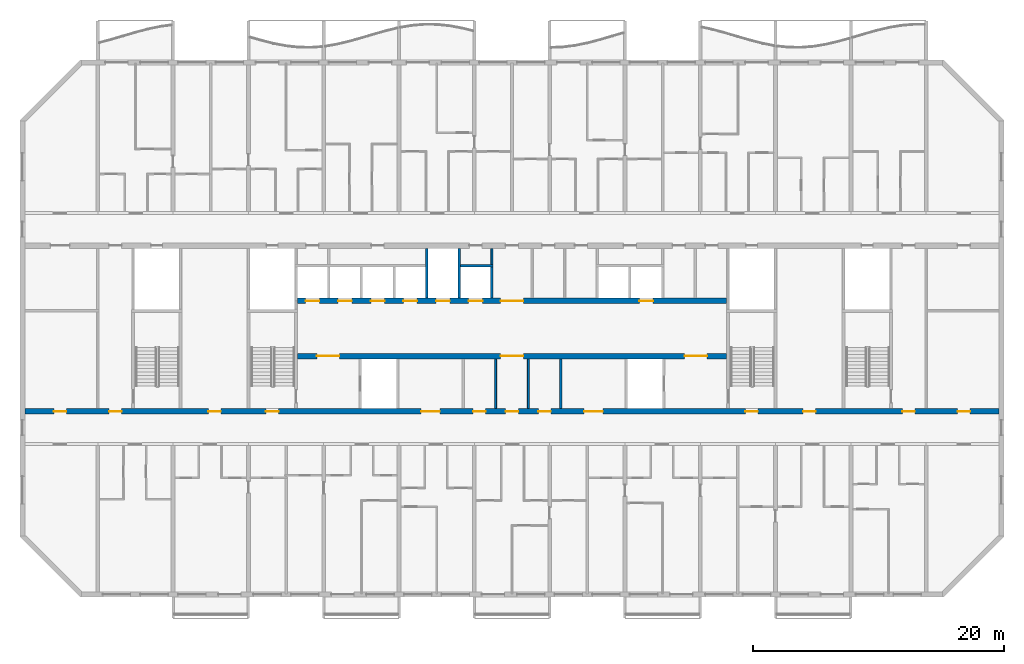
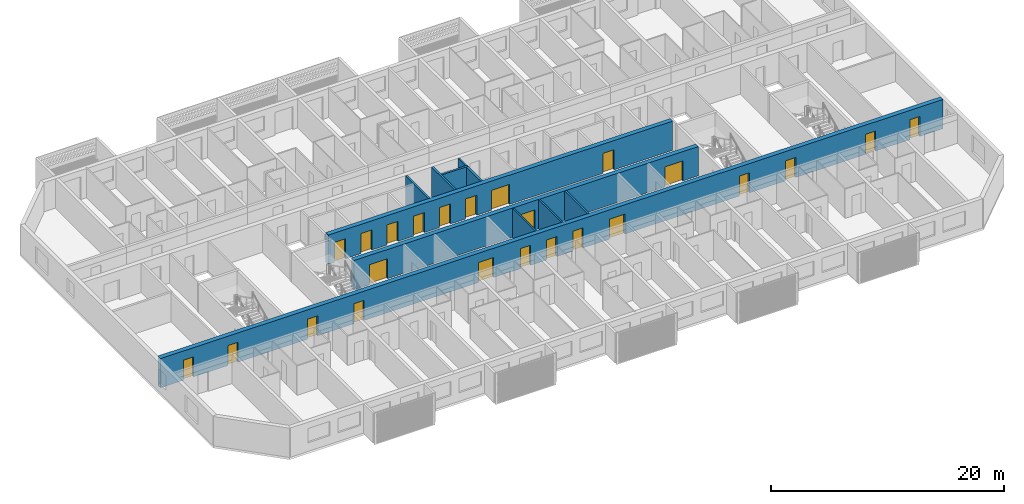
# One storey, part 7 of 33: 24 doors, 11 walls, 24 openings.
"""IFC4 building model written with IfcOpenShell, lengths in metres."""

from ifc_helpers import new_model, si_unit, direction, frame, frame_2d, origin, place, context, subcontext, project, spatial, rectangle, extrude, material, layer, layer_set, type_object, element, fill, save


model = new_model("IFC4")

# Units and contexts
model_context = context("Model", 3, precision=1e-05, world=origin(), true_north=direction((0.0, 1.0)))
body_context = subcontext(model_context, "Body", "Model", "MODEL_VIEW")
ifc_project = project(units=[si_unit("LENGTHUNIT", "METRE"), si_unit("AREAUNIT", "SQUARE_METRE"), si_unit("VOLUMEUNIT", "CUBIC_METRE"), si_unit("PLANEANGLEUNIT", "RADIAN"), si_unit("MASSUNIT", "GRAM", prefix="KILO")], contexts=[model_context])

# Site, building, storey
site_placement = place(None, origin())
site = spatial("IfcSite", under=ifc_project, at=site_placement, CompositionType="ELEMENT")
building_placement = place(site_placement, origin())
building = spatial("IfcBuilding", under=site, at=building_placement, Name="Poui Terraces", CompositionType="ELEMENT")
storey_placement = place(building_placement, frame((0.0, 0.0, 138.89990234375)))
storey = spatial("IfcBuildingStorey", under=building, at=storey_placement, Name="L38", CompositionType="ELEMENT", Elevation=138.89990234375)

# Wall, openings, doors
ifc_material_1 = material(Name="Concrete 65 MPa", Category="concrete")
ifc_layer_1 = layer(ifc_material_1, 0.449951171875)
ifc_layer_set_1 = layer_set([ifc_layer_1], Name="Concrete 65 MPa")
wall_type_1 = type_object("IfcWallType", Name="CORE WALL 450 65 MPA", PredefinedType="SOLIDWALL", material=ifc_layer_set_1)
wall_1_placement = place(storey_placement, frame((33.925048828125, 19.0, 0.0), z_axis=(0.0, 0.0, 1.0), x_axis=(1.0, 0.0, 0.0)))
wall_1 = element("IfcWall", 1, at=wall_1_placement, inside=storey, type_object=wall_type_1, Name="CORE WALL", PredefinedType="SOLIDWALL", context=body_context, shape_type="SweptSolid", body=[
    extrude(rectangle(XDim=34.14990234375, YDim=0.449951171875, at=frame_2d((17.074951171875, 0.0))), origin(), (0.0, 0.0, 1.0), 3.070068359375),
])
opening_1_placement = place(wall_1_placement, frame((16.175048828125, 0.0, 0.0)))
opening_1 = element("IfcOpeningElement", 2, at=opening_1_placement, cuts=wall_1, Name="Opening FDD60", PredefinedType="OPENING", context=body_context, shape_type="SweptSolid", body=[
    extrude(rectangle(XDim=1.800048828125, YDim=2.10009765625, at=frame_2d((0.89990234375, 1.050048828125))), frame((0.0, 0.23486328125, 0.0), z_axis=(0.0, -1.0, 0.0), x_axis=(1.0, 0.0, 0.0)), (0.0, 0.0, 1.0), 0.469970703125),
])
opening_2_placement = place(wall_1_placement, frame((1.52490234375, 0.0, 0.0)))
opening_2 = element("IfcOpeningElement", 3, at=opening_2_placement, cuts=wall_1, Name="Opening FDD60", PredefinedType="OPENING", context=body_context, shape_type="SweptSolid", body=[
    extrude(rectangle(XDim=1.800048828125, YDim=2.10009765625, at=frame_2d((0.89990234375, 1.050048828125))), frame((0.0, 0.23486328125, 0.0), z_axis=(0.0, -1.0, 0.0), x_axis=(1.0, 0.0, 0.0)), (0.0, 0.0, 1.0), 0.469970703125),
])
opening_3_placement = place(wall_1_placement, frame((30.824951171875, 0.0, 0.0)))
opening_3 = element("IfcOpeningElement", 4, at=opening_3_placement, cuts=wall_1, Name="Opening FDD60", PredefinedType="OPENING", context=body_context, shape_type="SweptSolid", body=[
    extrude(rectangle(XDim=1.800048828125, YDim=2.10009765625, at=frame_2d((0.89990234375, 1.050048828125))), frame((0.0, 0.23486328125, 0.0), z_axis=(0.0, -1.0, 0.0), x_axis=(1.0, 0.0, 0.0)), (0.0, 0.0, 1.0), 0.469970703125),
])
ifc_material_2 = material(Name="Steel fire door", Category="steel")
door_type_1 = type_object("IfcDoorType", Name="DOUBLE LOBBY FIRE DOOR 1800 X 2100", OperationType="DOUBLE_DOOR_SINGLE_SWING", PredefinedType="DOOR", material=ifc_material_2)
door_1_placement = place(opening_1_placement, frame((1.800048828125, 0.0, 0.0), z_axis=(0.0, 0.0, 1.0), x_axis=(-1.0, 0.0, 0.0)))
door_1 = element("IfcDoor", 5, at=door_1_placement, inside=storey, type_object=door_type_1, Name="DOUBLE LOBBY FIRE DOOR 122", OperationType="DOUBLE_DOOR_SINGLE_SWING", OverallHeight=2.10009765625, OverallWidth=1.800048828125, PredefinedType="DOOR", context=body_context, shape_type="SweptSolid", body=[
    extrude(rectangle(XDim=1.800048828125, YDim=2.10009765625, at=frame_2d((0.89990234375, 1.050048828125))), frame((0.0, 0.02490234375, 0.0), z_axis=(0.0, -1.0, 0.0), x_axis=(1.0, 0.0, 0.0)), (0.0, 0.0, 1.0), 0.050048828125),
])
fill(opening_1, door_1)
door_2_placement = place(opening_2_placement, origin())
door_2 = element("IfcDoor", 6, at=door_2_placement, inside=storey, type_object=door_type_1, Name="DOUBLE LOBBY FIRE DOOR 124", OperationType="DOUBLE_DOOR_SINGLE_SWING", OverallHeight=2.10009765625, OverallWidth=1.800048828125, PredefinedType="DOOR", context=body_context, shape_type="SweptSolid", body=[
    extrude(rectangle(XDim=1.800048828125, YDim=2.10009765625, at=frame_2d((0.89990234375, 1.050048828125))), frame((0.0, 0.02490234375, 0.0), z_axis=(0.0, -1.0, 0.0), x_axis=(1.0, 0.0, 0.0)), (0.0, 0.0, 1.0), 0.050048828125),
])
fill(opening_2, door_2)
door_3_placement = place(opening_3_placement, origin())
door_3 = element("IfcDoor", 7, at=door_3_placement, inside=storey, type_object=door_type_1, Name="DOUBLE LOBBY FIRE DOOR 131", OperationType="DOUBLE_DOOR_SINGLE_SWING", OverallHeight=2.10009765625, OverallWidth=1.800048828125, PredefinedType="DOOR", context=body_context, shape_type="SweptSolid", body=[
    extrude(rectangle(XDim=1.800048828125, YDim=2.10009765625, at=frame_2d((0.89990234375, 1.050048828125))), frame((0.0, 0.02490234375, 0.0), z_axis=(0.0, -1.0, 0.0), x_axis=(1.0, 0.0, 0.0)), (0.0, 0.0, 1.0), 0.050048828125),
])
fill(opening_3, door_3)

wall_2_placement = place(storey_placement, frame((33.925048828125, 23.39990234375, 0.0), z_axis=(0.0, 0.0, 1.0), x_axis=(1.0, 0.0, 0.0)))
wall_2 = element("IfcWall", 8, at=wall_2_placement, inside=storey, type_object=wall_type_1, Name="CORE WALL", PredefinedType="SOLIDWALL", context=body_context, shape_type="SweptSolid", body=[
    extrude(rectangle(XDim=34.14990234375, YDim=0.449951171875, at=frame_2d((17.074951171875, 0.0))), origin(), (0.0, 0.0, 1.0), 3.070068359375),
])
opening_4_placement = place(wall_2_placement, frame((16.175048828125, 0.0, 0.0)))
opening_4 = element("IfcOpeningElement", 9, at=opening_4_placement, cuts=wall_2, Name="Opening FDD60", PredefinedType="OPENING", context=body_context, shape_type="SweptSolid", body=[
    extrude(rectangle(XDim=1.800048828125, YDim=2.10009765625, at=frame_2d((0.89990234375, 1.050048828125))), frame((0.0, 0.23486328125, 0.0), z_axis=(0.0, -1.0, 0.0), x_axis=(1.0, 0.0, 0.0)), (0.0, 0.0, 1.0), 0.469970703125),
])
opening_5_placement = place(wall_2_placement, frame((0.625, 0.0, 0.0)))
opening_5 = element("IfcOpeningElement", 10, at=opening_5_placement, cuts=wall_2, Name="Opening LD", PredefinedType="OPENING", context=body_context, shape_type="SweptSolid", body=[
    extrude(rectangle(XDim=1.10009765625, YDim=2.10009765625, at=frame_2d((0.550048828125, 1.050048828125))), frame((0.0, 0.23486328125, 0.0), z_axis=(0.0, -1.0, 0.0), x_axis=(1.0, 0.0, 0.0)), (0.0, 0.0, 1.0), 0.469970703125),
])
opening_6_placement = place(wall_2_placement, frame((3.22509765625, 0.0, 0.0)))
opening_6 = element("IfcOpeningElement", 11, at=opening_6_placement, cuts=wall_2, Name="Opening LD", PredefinedType="OPENING", context=body_context, shape_type="SweptSolid", body=[
    extrude(rectangle(XDim=1.10009765625, YDim=2.10009765625, at=frame_2d((0.550048828125, 1.050048828125))), frame((0.0, 0.23486328125, 0.0), z_axis=(0.0, -1.0, 0.0), x_axis=(1.0, 0.0, 0.0)), (0.0, 0.0, 1.0), 0.469970703125),
])
opening_7_placement = place(wall_2_placement, frame((5.824951171875, 0.0, 0.0)))
opening_7 = element("IfcOpeningElement", 12, at=opening_7_placement, cuts=wall_2, Name="Opening LD", PredefinedType="OPENING", context=body_context, shape_type="SweptSolid", body=[
    extrude(rectangle(XDim=1.10009765625, YDim=2.10009765625, at=frame_2d((0.550048828125, 1.050048828125))), frame((0.0, 0.23486328125, 0.0), z_axis=(0.0, -1.0, 0.0), x_axis=(1.0, 0.0, 0.0)), (0.0, 0.0, 1.0), 0.469970703125),
])
opening_8_placement = place(wall_2_placement, frame((8.425048828125, 0.0, 0.0)))
opening_8 = element("IfcOpeningElement", 13, at=opening_8_placement, cuts=wall_2, Name="Opening LD", PredefinedType="OPENING", context=body_context, shape_type="SweptSolid", body=[
    extrude(rectangle(XDim=1.10009765625, YDim=2.10009765625, at=frame_2d((0.550048828125, 1.050048828125))), frame((0.0, 0.23486328125, 0.0), z_axis=(0.0, -1.0, 0.0), x_axis=(1.0, 0.0, 0.0)), (0.0, 0.0, 1.0), 0.469970703125),
])
opening_9_placement = place(wall_2_placement, frame((11.02490234375, 0.0, 0.0)))
opening_9 = element("IfcOpeningElement", 14, at=opening_9_placement, cuts=wall_2, Name="Opening LD", PredefinedType="OPENING", context=body_context, shape_type="SweptSolid", body=[
    extrude(rectangle(XDim=1.10009765625, YDim=2.10009765625, at=frame_2d((0.550048828125, 1.050048828125))), frame((0.0, 0.23486328125, 0.0), z_axis=(0.0, -1.0, 0.0), x_axis=(1.0, 0.0, 0.0)), (0.0, 0.0, 1.0), 0.469970703125),
])
opening_10_placement = place(wall_2_placement, frame((13.625, 0.0, 0.0)))
opening_10 = element("IfcOpeningElement", 15, at=opening_10_placement, cuts=wall_2, Name="Opening LD", PredefinedType="OPENING", context=body_context, shape_type="SweptSolid", body=[
    extrude(rectangle(XDim=1.10009765625, YDim=2.10009765625, at=frame_2d((0.550048828125, 1.050048828125))), frame((0.0, 0.23486328125, 0.0), z_axis=(0.0, -1.0, 0.0), x_axis=(1.0, 0.0, 0.0)), (0.0, 0.0, 1.0), 0.469970703125),
])
opening_11_placement = place(wall_2_placement, frame((27.22509765625, 0.0, 0.0)))
opening_11 = element("IfcOpeningElement", 16, at=opening_11_placement, cuts=wall_2, Name="Opening LD", PredefinedType="OPENING", context=body_context, shape_type="SweptSolid", body=[
    extrude(rectangle(XDim=1.10009765625, YDim=2.10009765625, at=frame_2d((0.550048828125, 1.050048828125))), frame((0.0, 0.23486328125, 0.0), z_axis=(0.0, -1.0, 0.0), x_axis=(1.0, 0.0, 0.0)), (0.0, 0.0, 1.0), 0.469970703125),
])
door_4_placement = place(opening_4_placement, origin())
door_4 = element("IfcDoor", 17, at=door_4_placement, inside=storey, type_object=door_type_1, Name="DOUBLE LOBBY FIRE DOOR 121", OperationType="DOUBLE_DOOR_SINGLE_SWING", OverallHeight=2.10009765625, OverallWidth=1.800048828125, PredefinedType="DOOR", context=body_context, shape_type="SweptSolid", body=[
    extrude(rectangle(XDim=1.800048828125, YDim=2.10009765625, at=frame_2d((0.89990234375, 1.050048828125))), frame((0.0, 0.02490234375, 0.0), z_axis=(0.0, -1.0, 0.0), x_axis=(1.0, 0.0, 0.0)), (0.0, 0.0, 1.0), 0.050048828125),
])
fill(opening_4, door_4)
ifc_material_3 = material(Name="Stainless steel sliding door", Category="steel")
door_type_2 = type_object("IfcDoorType", Name="LIFT LANDING DOOR 1100 X 2100", OperationType="DOUBLE_DOOR_SLIDING", PredefinedType="DOOR", material=ifc_material_3)
door_5_placement = place(opening_5_placement, origin())
door_5 = element("IfcDoor", 18, at=door_5_placement, inside=storey, type_object=door_type_2, Name="LANDING DOOR", OperationType="DOUBLE_DOOR_SLIDING", OverallHeight=2.10009765625, OverallWidth=1.10009765625, PredefinedType="DOOR", context=body_context, shape_type="SweptSolid", body=[
    extrude(rectangle(XDim=1.10009765625, YDim=2.10009765625, at=frame_2d((0.550048828125, 1.050048828125))), frame((0.0, 0.02490234375, 0.0), z_axis=(0.0, -1.0, 0.0), x_axis=(1.0, 0.0, 0.0)), (0.0, 0.0, 1.0), 0.050048828125),
])
fill(opening_5, door_5)
door_6_placement = place(opening_6_placement, origin())
door_6 = element("IfcDoor", 19, at=door_6_placement, inside=storey, type_object=door_type_2, Name="LANDING DOOR", OperationType="DOUBLE_DOOR_SLIDING", OverallHeight=2.10009765625, OverallWidth=1.10009765625, PredefinedType="DOOR", context=body_context, shape_type="SweptSolid", body=[
    extrude(rectangle(XDim=1.10009765625, YDim=2.10009765625, at=frame_2d((0.550048828125, 1.050048828125))), frame((0.0, 0.02490234375, 0.0), z_axis=(0.0, -1.0, 0.0), x_axis=(1.0, 0.0, 0.0)), (0.0, 0.0, 1.0), 0.050048828125),
])
fill(opening_6, door_6)
door_7_placement = place(opening_7_placement, origin())
door_7 = element("IfcDoor", 20, at=door_7_placement, inside=storey, type_object=door_type_2, Name="LANDING DOOR", OperationType="DOUBLE_DOOR_SLIDING", OverallHeight=2.10009765625, OverallWidth=1.10009765625, PredefinedType="DOOR", context=body_context, shape_type="SweptSolid", body=[
    extrude(rectangle(XDim=1.10009765625, YDim=2.10009765625, at=frame_2d((0.550048828125, 1.050048828125))), frame((0.0, 0.02490234375, 0.0), z_axis=(0.0, -1.0, 0.0), x_axis=(1.0, 0.0, 0.0)), (0.0, 0.0, 1.0), 0.050048828125),
])
fill(opening_7, door_7)
door_8_placement = place(opening_8_placement, origin())
door_8 = element("IfcDoor", 21, at=door_8_placement, inside=storey, type_object=door_type_2, Name="LANDING DOOR", OperationType="DOUBLE_DOOR_SLIDING", OverallHeight=2.10009765625, OverallWidth=1.10009765625, PredefinedType="DOOR", context=body_context, shape_type="SweptSolid", body=[
    extrude(rectangle(XDim=1.10009765625, YDim=2.10009765625, at=frame_2d((0.550048828125, 1.050048828125))), frame((0.0, 0.02490234375, 0.0), z_axis=(0.0, -1.0, 0.0), x_axis=(1.0, 0.0, 0.0)), (0.0, 0.0, 1.0), 0.050048828125),
])
fill(opening_8, door_8)
door_9_placement = place(opening_9_placement, origin())
door_9 = element("IfcDoor", 22, at=door_9_placement, inside=storey, type_object=door_type_2, Name="LANDING DOOR", OperationType="DOUBLE_DOOR_SLIDING", OverallHeight=2.10009765625, OverallWidth=1.10009765625, PredefinedType="DOOR", context=body_context, shape_type="SweptSolid", body=[
    extrude(rectangle(XDim=1.10009765625, YDim=2.10009765625, at=frame_2d((0.550048828125, 1.050048828125))), frame((0.0, 0.02490234375, 0.0), z_axis=(0.0, -1.0, 0.0), x_axis=(1.0, 0.0, 0.0)), (0.0, 0.0, 1.0), 0.050048828125),
])
fill(opening_9, door_9)
door_10_placement = place(opening_10_placement, origin())
door_10 = element("IfcDoor", 23, at=door_10_placement, inside=storey, type_object=door_type_2, Name="LANDING DOOR", OperationType="DOUBLE_DOOR_SLIDING", OverallHeight=2.10009765625, OverallWidth=1.10009765625, PredefinedType="DOOR", context=body_context, shape_type="SweptSolid", body=[
    extrude(rectangle(XDim=1.10009765625, YDim=2.10009765625, at=frame_2d((0.550048828125, 1.050048828125))), frame((0.0, 0.02490234375, 0.0), z_axis=(0.0, -1.0, 0.0), x_axis=(1.0, 0.0, 0.0)), (0.0, 0.0, 1.0), 0.050048828125),
])
fill(opening_10, door_10)
door_11_placement = place(opening_11_placement, origin())
door_11 = element("IfcDoor", 24, at=door_11_placement, inside=storey, type_object=door_type_2, Name="LANDING DOOR", OperationType="DOUBLE_DOOR_SLIDING", OverallHeight=2.10009765625, OverallWidth=1.10009765625, PredefinedType="DOOR", context=body_context, shape_type="SweptSolid", body=[
    extrude(rectangle(XDim=1.10009765625, YDim=2.10009765625, at=frame_2d((0.550048828125, 1.050048828125))), frame((0.0, 0.02490234375, 0.0), z_axis=(0.0, -1.0, 0.0), x_axis=(1.0, 0.0, 0.0)), (0.0, 0.0, 1.0), 0.050048828125),
])
fill(opening_11, door_11)

# Walls
ifc_material_4 = material(Name="Fire-rated plasterboard wall")
ifc_layer_2 = layer(ifc_material_4, 0.14990234375)
ifc_layer_set_2 = layer_set([ifc_layer_2], Name="Fire-rated plasterboard wall")
wall_type_2 = type_object("IfcWallType", Name="CORRIDOR WALL 150", PredefinedType="PARTITIONING", material=ifc_layer_set_2)
wall_3_placement = place(storey_placement, frame((49.39990234375, 26.300048828125, 0.0), z_axis=(0.0, 0.0, 1.0), x_axis=(0.0, 1.0, 0.0)))
element("IfcWall", 25, at=wall_3_placement, inside=storey, type_object=wall_type_2, Name="CORRIDOR WALL 150", PredefinedType="PARTITIONING", context=body_context, shape_type="SweptSolid", body=[
    extrude(rectangle(XDim=1.264892578125, YDim=0.14990234375, at=frame_2d((0.63232421875, 0.0))), origin(), (0.0, 0.0, 1.0), 3.070068359375),
])
for number, where, z_axis, x_axis, name in (
    (26, (49.699951171875, 14.8349609375, 0.0), (0.0, 0.0, 1.0), (0.0, 1.0, 0.0), "CORRIDOR WALL 150"),
    (27, (52.300048828125, 14.8349609375, 0.0), (0.0, 0.0, 1.0), (0.0, 1.0, 0.0), "CORRIDOR WALL 150"),
):
    element("IfcWall", number, at=place(storey_placement, frame(where, z_axis=z_axis, x_axis=x_axis)), inside=storey, type_object=wall_type_2, Name=name, PredefinedType="PARTITIONING", context=body_context, shape_type="SweptSolid", body=[
        extrude(rectangle(XDim=3.929931640625, YDim=0.14990234375, at=frame_2d((1.96484375, 0.0))), origin(), (0.0, 0.0, 1.0), 3.070068359375),
    ])
ifc_material_5 = material(Name="Fire-rated masonry wall", Category="masonry")
ifc_layer_3 = layer(ifc_material_5, 0.199951171875)
ifc_layer_set_3 = layer_set([ifc_layer_3], Name="Fire-rated masonry wall")
wall_type_3 = type_object("IfcWallType", Name="PLANT ROOM WALL 200", PredefinedType="PARTITIONING", material=ifc_layer_set_3)
wall_4_placement = place(storey_placement, frame((54.89990234375, 14.8349609375, 0.0), z_axis=(0.0, 0.0, 1.0), x_axis=(0.0, 1.0, 0.0)))
element("IfcWall", 28, at=wall_4_placement, inside=storey, type_object=wall_type_3, Name="PLANT ROOM WALL 200", PredefinedType="PARTITIONING", context=body_context, shape_type="SweptSolid", body=[
    extrude(rectangle(XDim=3.929931640625, YDim=0.199951171875, at=frame_2d((1.96484375, 0.0))), origin(), (0.0, 0.0, 1.0), 3.070068359375),
])
ifc_material_6 = material(Name="Fire-rated masonry shaft wall", Category="masonry")
ifc_layer_4 = layer(ifc_material_6, 0.199951171875)
ifc_layer_set_4 = layer_set([ifc_layer_4], Name="Fire-rated masonry shaft wall")
wall_type_4 = type_object("IfcWallType", Name="SHAFT WALL 200", PredefinedType="PARTITIONING", material=ifc_layer_set_4)
wall_5_placement = place(storey_placement, frame((46.89990234375, 26.199951171875, 0.0), z_axis=(0.0, 0.0, 1.0), x_axis=(1.0, 0.0, 0.0)))
element("IfcWall", 29, at=wall_5_placement, inside=storey, type_object=wall_type_4, Name="SHAFT WALL 200", PredefinedType="PARTITIONING", context=body_context, shape_type="SweptSolid", body=[
    extrude(rectangle(XDim=2.60009765625, YDim=0.199951171875, at=frame_2d((1.300048828125, 0.0))), origin(), (0.0, 0.0, 1.0), 3.070068359375),
])
for number, where, z_axis, x_axis, name in (
    (30, (44.199951171875, 23.635009765625, 0.0), (0.0, 0.0, 1.0), (0.0, 1.0, 0.0), "SHAFT WALL 200"),
    (31, (46.800048828125, 23.635009765625, 0.0), (0.0, 0.0, 1.0), (0.0, 1.0, 0.0), "SHAFT WALL 200"),
):
    element("IfcWall", number, at=place(storey_placement, frame(where, z_axis=z_axis, x_axis=x_axis)), inside=storey, type_object=wall_type_4, Name=name, PredefinedType="PARTITIONING", context=body_context, shape_type="SweptSolid", body=[
        extrude(rectangle(XDim=3.929931640625, YDim=0.199951171875, at=frame_2d((1.96484375, 0.0))), origin(), (0.0, 0.0, 1.0), 3.070068359375),
    ])
wall_6_placement = place(storey_placement, frame((49.39990234375, 23.635009765625, 0.0), z_axis=(0.0, 0.0, 1.0), x_axis=(0.0, 1.0, 0.0)))
element("IfcWall", 32, at=wall_6_placement, inside=storey, type_object=wall_type_4, Name="SHAFT WALL 200", PredefinedType="PARTITIONING", context=body_context, shape_type="SweptSolid", body=[
    extrude(rectangle(XDim=2.465087890625, YDim=0.199951171875, at=frame_2d((1.232421875, 0.0))), origin(), (0.0, 0.0, 1.0), 3.070068359375),
])

# Wall, openings, doors
ifc_layer_5 = layer(ifc_material_1, 0.449951171875)
ifc_layer_set_5 = layer_set([ifc_layer_5], Name="Concrete 65 MPa")
wall_type_5 = type_object("IfcWallType", Name="SPINE WALL 450 65 MPA", PredefinedType="SOLIDWALL", material=ifc_layer_set_5)
wall_7_placement = place(storey_placement, frame((12.199951171875, 14.60009765625, 0.0), z_axis=(0.0, 0.0, 1.0), x_axis=(1.0, 0.0, 0.0)))
wall_7 = element("IfcWall", 33, at=wall_7_placement, inside=storey, type_object=wall_type_5, Name="SPINE WALL", PredefinedType="SOLIDWALL", context=body_context, shape_type="SweptSolid", body=[
    extrude(rectangle(XDim=77.60009765625, YDim=0.449951171875, at=frame_2d((38.800048828125, 0.0))), origin(), (0.0, 0.0, 1.0), 3.070068359375),
])
opening_12_placement = place(wall_7_placement, frame((2.300048828125, 0.0, 0.0)))
opening_12 = element("IfcOpeningElement", 34, at=opening_12_placement, cuts=wall_7, Name="Opening FD60", PredefinedType="OPENING", context=body_context, shape_type="SweptSolid", body=[
    extrude(rectangle(XDim=1.0, YDim=2.10009765625, at=frame_2d((0.5, 1.050048828125))), frame((0.0, 0.23486328125, 0.0), z_axis=(0.0, -1.0, 0.0), x_axis=(1.0, 0.0, 0.0)), (0.0, 0.0, 1.0), 0.469970703125),
])
opening_13_placement = place(wall_7_placement, frame((6.699951171875, 0.0, 0.0)))
opening_13 = element("IfcOpeningElement", 35, at=opening_13_placement, cuts=wall_7, Name="Opening FDL", PredefinedType="OPENING", context=body_context, shape_type="SweptSolid", body=[
    extrude(rectangle(XDim=1.0, YDim=2.10009765625, at=frame_2d((0.5, 1.050048828125))), frame((0.0, 0.23486328125, 0.0), z_axis=(0.0, -1.0, 0.0), x_axis=(1.0, 0.0, 0.0)), (0.0, 0.0, 1.0), 0.469970703125),
])
opening_14_placement = place(wall_7_placement, frame((14.60009765625, 0.0, 0.0)))
opening_14 = element("IfcOpeningElement", 36, at=opening_14_placement, cuts=wall_7, Name="Opening D100", PredefinedType="OPENING", context=body_context, shape_type="SweptSolid", body=[
    extrude(rectangle(XDim=1.0, YDim=2.10009765625, at=frame_2d((0.5, 1.050048828125))), frame((0.0, 0.23486328125, 0.0), z_axis=(0.0, -1.0, 0.0), x_axis=(1.0, 0.0, 0.0)), (0.0, 0.0, 1.0), 0.469970703125),
])
opening_15_placement = place(wall_7_placement, frame((19.199951171875, 0.0, 0.0)))
opening_15 = element("IfcOpeningElement", 37, at=opening_15_placement, cuts=wall_7, Name="Opening FD60S", PredefinedType="OPENING", context=body_context, shape_type="SweptSolid", body=[
    extrude(rectangle(XDim=1.0, YDim=2.10009765625, at=frame_2d((0.5, 1.050048828125))), frame((0.0, 0.23486328125, 0.0), z_axis=(0.0, -1.0, 0.0), x_axis=(1.0, 0.0, 0.0)), (0.0, 0.0, 1.0), 0.469970703125),
])
opening_16_placement = place(wall_7_placement, frame((31.550048828125, 0.0, 0.0)))
opening_16 = element("IfcOpeningElement", 38, at=opening_16_placement, cuts=wall_7, Name="Opening FDP", PredefinedType="OPENING", context=body_context, shape_type="SweptSolid", body=[
    extrude(rectangle(XDim=1.5, YDim=2.10009765625, at=frame_2d((0.75, 1.050048828125))), frame((0.0, 0.23486328125, 0.0), z_axis=(0.0, -1.0, 0.0), x_axis=(1.0, 0.0, 0.0)), (0.0, 0.0, 1.0), 0.469970703125),
])
opening_17_placement = place(wall_7_placement, frame((35.699951171875, 0.0, 0.0)))
opening_17 = element("IfcOpeningElement", 39, at=opening_17_placement, cuts=wall_7, Name="Opening FD60", PredefinedType="OPENING", context=body_context, shape_type="SweptSolid", body=[
    extrude(rectangle(XDim=1.0, YDim=2.10009765625, at=frame_2d((0.5, 1.050048828125))), frame((0.0, 0.23486328125, 0.0), z_axis=(0.0, -1.0, 0.0), x_axis=(1.0, 0.0, 0.0)), (0.0, 0.0, 1.0), 0.469970703125),
])
opening_18_placement = place(wall_7_placement, frame((38.300048828125, 0.0, 0.0)))
opening_18 = element("IfcOpeningElement", 40, at=opening_18_placement, cuts=wall_7, Name="Opening FDL", PredefinedType="OPENING", context=body_context, shape_type="SweptSolid", body=[
    extrude(rectangle(XDim=1.0, YDim=2.10009765625, at=frame_2d((0.5, 1.050048828125))), frame((0.0, 0.23486328125, 0.0), z_axis=(0.0, -1.0, 0.0), x_axis=(1.0, 0.0, 0.0)), (0.0, 0.0, 1.0), 0.469970703125),
])
opening_19_placement = place(wall_7_placement, frame((40.89990234375, 0.0, 0.0)))
opening_19 = element("IfcOpeningElement", 41, at=opening_19_placement, cuts=wall_7, Name="Opening FD60", PredefinedType="OPENING", context=body_context, shape_type="SweptSolid", body=[
    extrude(rectangle(XDim=1.0, YDim=2.10009765625, at=frame_2d((0.5, 1.050048828125))), frame((0.0, 0.23486328125, 0.0), z_axis=(0.0, -1.0, 0.0), x_axis=(1.0, 0.0, 0.0)), (0.0, 0.0, 1.0), 0.469970703125),
])
opening_20_placement = place(wall_7_placement, frame((44.550048828125, 0.0, 0.0)))
opening_20 = element("IfcOpeningElement", 42, at=opening_20_placement, cuts=wall_7, Name="Opening FDP", PredefinedType="OPENING", context=body_context, shape_type="SweptSolid", body=[
    extrude(rectangle(XDim=1.5, YDim=2.10009765625, at=frame_2d((0.75, 1.050048828125))), frame((0.0, 0.23486328125, 0.0), z_axis=(0.0, -1.0, 0.0), x_axis=(1.0, 0.0, 0.0)), (0.0, 0.0, 1.0), 0.469970703125),
])
opening_21_placement = place(wall_7_placement, frame((57.39990234375, 0.0, 0.0)))
opening_21 = element("IfcOpeningElement", 43, at=opening_21_placement, cuts=wall_7, Name="Opening FD60S", PredefinedType="OPENING", context=body_context, shape_type="SweptSolid", body=[
    extrude(rectangle(XDim=1.0, YDim=2.10009765625, at=frame_2d((0.5, 1.050048828125))), frame((0.0, 0.23486328125, 0.0), z_axis=(0.0, -1.0, 0.0), x_axis=(1.0, 0.0, 0.0)), (0.0, 0.0, 1.0), 0.469970703125),
])
opening_22_placement = place(wall_7_placement, frame((62.0, 0.0, 0.0)))
opening_22 = element("IfcOpeningElement", 44, at=opening_22_placement, cuts=wall_7, Name="Opening D100", PredefinedType="OPENING", context=body_context, shape_type="SweptSolid", body=[
    extrude(rectangle(XDim=1.0, YDim=2.10009765625, at=frame_2d((0.5, 1.050048828125))), frame((0.0, 0.23486328125, 0.0), z_axis=(0.0, -1.0, 0.0), x_axis=(1.0, 0.0, 0.0)), (0.0, 0.0, 1.0), 0.469970703125),
])
opening_23_placement = place(wall_7_placement, frame((69.89990234375, 0.0, 0.0)))
opening_23 = element("IfcOpeningElement", 45, at=opening_23_placement, cuts=wall_7, Name="Opening FDL", PredefinedType="OPENING", context=body_context, shape_type="SweptSolid", body=[
    extrude(rectangle(XDim=1.0, YDim=2.10009765625, at=frame_2d((0.5, 1.050048828125))), frame((0.0, 0.23486328125, 0.0), z_axis=(0.0, -1.0, 0.0), x_axis=(1.0, 0.0, 0.0)), (0.0, 0.0, 1.0), 0.469970703125),
])
opening_24_placement = place(wall_7_placement, frame((74.300048828125, 0.0, 0.0)))
opening_24 = element("IfcOpeningElement", 46, at=opening_24_placement, cuts=wall_7, Name="Opening FD60", PredefinedType="OPENING", context=body_context, shape_type="SweptSolid", body=[
    extrude(rectangle(XDim=1.0, YDim=2.10009765625, at=frame_2d((0.5, 1.050048828125))), frame((0.0, 0.23486328125, 0.0), z_axis=(0.0, -1.0, 0.0), x_axis=(1.0, 0.0, 0.0)), (0.0, 0.0, 1.0), 0.469970703125),
])
ifc_material_7 = material(Name="Solid core timber door", Category="wood")
door_type_3 = type_object("IfcDoorType", Name="ACCESSIBLE INTERNAL DOOR 1000 X 2100", OperationType="NOTDEFINED", PredefinedType="DOOR", material=ifc_material_7)
door_12_placement = place(opening_14_placement, frame((1.0, 0.0, 0.0), z_axis=(0.0, 0.0, 1.0), x_axis=(-1.0, 0.0, 0.0)))
door_12 = element("IfcDoor", 47, at=door_12_placement, inside=storey, type_object=door_type_3, Name="ACCESSIBLE INTERNAL DOOR 020", OperationType="SINGLE_SWING_LEFT", OverallHeight=2.10009765625, OverallWidth=1.0, PredefinedType="DOOR", context=body_context, shape_type="SweptSolid", body=[
    extrude(rectangle(XDim=1.0, YDim=2.10009765625, at=frame_2d((0.5, 1.050048828125))), frame((0.0, 0.02490234375, 0.0), z_axis=(0.0, -1.0, 0.0), x_axis=(1.0, 0.0, 0.0)), (0.0, 0.0, 1.0), 0.050048828125),
])
fill(opening_14, door_12)
door_13_placement = place(opening_22_placement, frame((1.0, 0.0, 0.0), z_axis=(0.0, 0.0, 1.0), x_axis=(-1.0, 0.0, 0.0)))
door_13 = element("IfcDoor", 48, at=door_13_placement, inside=storey, type_object=door_type_3, Name="ACCESSIBLE INTERNAL DOOR 028", OperationType="SINGLE_SWING_RIGHT", OverallHeight=2.10009765625, OverallWidth=1.0, PredefinedType="DOOR", context=body_context, shape_type="SweptSolid", body=[
    extrude(rectangle(XDim=1.0, YDim=2.10009765625, at=frame_2d((0.5, 1.050048828125))), frame((0.0, 0.02490234375, 0.0), z_axis=(0.0, -1.0, 0.0), x_axis=(1.0, 0.0, 0.0)), (0.0, 0.0, 1.0), 0.050048828125),
])
fill(opening_22, door_13)
door_type_4 = type_object("IfcDoorType", Name="LOBBY FIRE DOOR 1000 X 2100", OperationType="NOTDEFINED", PredefinedType="DOOR", material=ifc_material_2)
door_14_placement = place(opening_13_placement, frame((1.0, 0.0, 0.0), z_axis=(0.0, 0.0, 1.0), x_axis=(-1.0, 0.0, 0.0)))
door_14 = element("IfcDoor", 49, at=door_14_placement, inside=storey, type_object=door_type_4, Name="LOBBY FIRE DOOR 019", OperationType="SINGLE_SWING_RIGHT", OverallHeight=2.10009765625, OverallWidth=1.0, PredefinedType="DOOR", context=body_context, shape_type="SweptSolid", body=[
    extrude(rectangle(XDim=1.0, YDim=2.10009765625, at=frame_2d((0.5, 1.050048828125))), frame((0.0, 0.02490234375, 0.0), z_axis=(0.0, -1.0, 0.0), x_axis=(1.0, 0.0, 0.0)), (0.0, 0.0, 1.0), 0.050048828125),
])
fill(opening_13, door_14)
door_15_placement = place(opening_18_placement, frame((1.0, 0.0, 0.0), z_axis=(0.0, 0.0, 1.0), x_axis=(-1.0, 0.0, 0.0)))
door_15 = element("IfcDoor", 50, at=door_15_placement, inside=storey, type_object=door_type_4, Name="LOBBY FIRE DOOR 024", OperationType="SINGLE_SWING_LEFT", OverallHeight=2.10009765625, OverallWidth=1.0, PredefinedType="DOOR", context=body_context, shape_type="SweptSolid", body=[
    extrude(rectangle(XDim=1.0, YDim=2.10009765625, at=frame_2d((0.5, 1.050048828125))), frame((0.0, 0.02490234375, 0.0), z_axis=(0.0, -1.0, 0.0), x_axis=(1.0, 0.0, 0.0)), (0.0, 0.0, 1.0), 0.050048828125),
])
fill(opening_18, door_15)
door_16_placement = place(opening_23_placement, frame((1.0, 0.0, 0.0), z_axis=(0.0, 0.0, 1.0), x_axis=(-1.0, 0.0, 0.0)))
door_16 = element("IfcDoor", 51, at=door_16_placement, inside=storey, type_object=door_type_4, Name="LOBBY FIRE DOOR 029", OperationType="SINGLE_SWING_LEFT", OverallHeight=2.10009765625, OverallWidth=1.0, PredefinedType="DOOR", context=body_context, shape_type="SweptSolid", body=[
    extrude(rectangle(XDim=1.0, YDim=2.10009765625, at=frame_2d((0.5, 1.050048828125))), frame((0.0, 0.02490234375, 0.0), z_axis=(0.0, -1.0, 0.0), x_axis=(1.0, 0.0, 0.0)), (0.0, 0.0, 1.0), 0.050048828125),
])
fill(opening_23, door_16)
door_type_5 = type_object("IfcDoorType", Name="PLANT ROOM DOOR PAIR 1500 X 2100", OperationType="DOUBLE_DOOR_SINGLE_SWING", PredefinedType="DOOR", material=ifc_material_2)
door_17_placement = place(opening_16_placement, frame((1.5, 0.0, 0.0), z_axis=(0.0, 0.0, 1.0), x_axis=(-1.0, 0.0, 0.0)))
door_17 = element("IfcDoor", 52, at=door_17_placement, inside=storey, type_object=door_type_5, Name="PLANT ROOM DOOR PAIR 022", OperationType="DOUBLE_DOOR_SINGLE_SWING", OverallHeight=2.10009765625, OverallWidth=1.5, PredefinedType="DOOR", context=body_context, shape_type="SweptSolid", body=[
    extrude(rectangle(XDim=1.5, YDim=2.10009765625, at=frame_2d((0.75, 1.050048828125))), frame((0.0, 0.02490234375, 0.0), z_axis=(0.0, -1.0, 0.0), x_axis=(1.0, 0.0, 0.0)), (0.0, 0.0, 1.0), 0.050048828125),
])
fill(opening_16, door_17)
door_18_placement = place(opening_20_placement, frame((1.5, 0.0, 0.0), z_axis=(0.0, 0.0, 1.0), x_axis=(-1.0, 0.0, 0.0)))
door_18 = element("IfcDoor", 53, at=door_18_placement, inside=storey, type_object=door_type_5, Name="PLANT ROOM DOOR PAIR 026", OperationType="DOUBLE_DOOR_SINGLE_SWING", OverallHeight=2.10009765625, OverallWidth=1.5, PredefinedType="DOOR", context=body_context, shape_type="SweptSolid", body=[
    extrude(rectangle(XDim=1.5, YDim=2.10009765625, at=frame_2d((0.75, 1.050048828125))), frame((0.0, 0.02490234375, 0.0), z_axis=(0.0, -1.0, 0.0), x_axis=(1.0, 0.0, 0.0)), (0.0, 0.0, 1.0), 0.050048828125),
])
fill(opening_20, door_18)
door_type_6 = type_object("IfcDoorType", Name="SERVICE ROOM FIRE DOOR 1000 X 2100", OperationType="NOTDEFINED", PredefinedType="DOOR", material=ifc_material_2)
door_19_placement = place(opening_12_placement, frame((1.0, 0.0, 0.0), z_axis=(0.0, 0.0, 1.0), x_axis=(-1.0, 0.0, 0.0)))
door_19 = element("IfcDoor", 54, at=door_19_placement, inside=storey, type_object=door_type_6, Name="SERVICE ROOM FIRE DOOR 018", OperationType="SINGLE_SWING_LEFT", OverallHeight=2.10009765625, OverallWidth=1.0, PredefinedType="DOOR", context=body_context, shape_type="SweptSolid", body=[
    extrude(rectangle(XDim=1.0, YDim=2.10009765625, at=frame_2d((0.5, 1.050048828125))), frame((0.0, 0.02490234375, 0.0), z_axis=(0.0, -1.0, 0.0), x_axis=(1.0, 0.0, 0.0)), (0.0, 0.0, 1.0), 0.050048828125),
])
fill(opening_12, door_19)
door_20_placement = place(opening_17_placement, frame((1.0, 0.0, 0.0), z_axis=(0.0, 0.0, 1.0), x_axis=(-1.0, 0.0, 0.0)))
door_20 = element("IfcDoor", 55, at=door_20_placement, inside=storey, type_object=door_type_6, Name="SERVICE ROOM FIRE DOOR 023", OperationType="SINGLE_SWING_RIGHT", OverallHeight=2.10009765625, OverallWidth=1.0, PredefinedType="DOOR", context=body_context, shape_type="SweptSolid", body=[
    extrude(rectangle(XDim=1.0, YDim=2.10009765625, at=frame_2d((0.5, 1.050048828125))), frame((0.0, 0.02490234375, 0.0), z_axis=(0.0, -1.0, 0.0), x_axis=(1.0, 0.0, 0.0)), (0.0, 0.0, 1.0), 0.050048828125),
])
fill(opening_17, door_20)
door_21_placement = place(opening_19_placement, frame((1.0, 0.0, 0.0), z_axis=(0.0, 0.0, 1.0), x_axis=(-1.0, 0.0, 0.0)))
door_21 = element("IfcDoor", 56, at=door_21_placement, inside=storey, type_object=door_type_6, Name="SERVICE ROOM FIRE DOOR 025", OperationType="SINGLE_SWING_LEFT", OverallHeight=2.10009765625, OverallWidth=1.0, PredefinedType="DOOR", context=body_context, shape_type="SweptSolid", body=[
    extrude(rectangle(XDim=1.0, YDim=2.10009765625, at=frame_2d((0.5, 1.050048828125))), frame((0.0, 0.02490234375, 0.0), z_axis=(0.0, -1.0, 0.0), x_axis=(1.0, 0.0, 0.0)), (0.0, 0.0, 1.0), 0.050048828125),
])
fill(opening_19, door_21)
door_22_placement = place(opening_24_placement, frame((1.0, 0.0, 0.0), z_axis=(0.0, 0.0, 1.0), x_axis=(-1.0, 0.0, 0.0)))
door_22 = element("IfcDoor", 57, at=door_22_placement, inside=storey, type_object=door_type_6, Name="SERVICE ROOM FIRE DOOR 030", OperationType="SINGLE_SWING_LEFT", OverallHeight=2.10009765625, OverallWidth=1.0, PredefinedType="DOOR", context=body_context, shape_type="SweptSolid", body=[
    extrude(rectangle(XDim=1.0, YDim=2.10009765625, at=frame_2d((0.5, 1.050048828125))), frame((0.0, 0.02490234375, 0.0), z_axis=(0.0, -1.0, 0.0), x_axis=(1.0, 0.0, 0.0)), (0.0, 0.0, 1.0), 0.050048828125),
])
fill(opening_24, door_22)
door_type_7 = type_object("IfcDoorType", Name="STAIR DOOR 1000 X 2100", OperationType="NOTDEFINED", PredefinedType="DOOR", material=ifc_material_2)
door_23_placement = place(opening_15_placement, origin())
door_23 = element("IfcDoor", 58, at=door_23_placement, inside=storey, type_object=door_type_7, Name="STAIR DOOR 021", OperationType="SINGLE_SWING_RIGHT", OverallHeight=2.10009765625, OverallWidth=1.0, PredefinedType="DOOR", context=body_context, shape_type="SweptSolid", body=[
    extrude(rectangle(XDim=1.0, YDim=2.10009765625, at=frame_2d((0.5, 1.050048828125))), frame((0.0, 0.02490234375, 0.0), z_axis=(0.0, -1.0, 0.0), x_axis=(1.0, 0.0, 0.0)), (0.0, 0.0, 1.0), 0.050048828125),
])
fill(opening_15, door_23)
door_24_placement = place(opening_21_placement, origin())
door_24 = element("IfcDoor", 59, at=door_24_placement, inside=storey, type_object=door_type_7, Name="STAIR DOOR 027", OperationType="SINGLE_SWING_RIGHT", OverallHeight=2.10009765625, OverallWidth=1.0, PredefinedType="DOOR", context=body_context, shape_type="SweptSolid", body=[
    extrude(rectangle(XDim=1.0, YDim=2.10009765625, at=frame_2d((0.5, 1.050048828125))), frame((0.0, 0.02490234375, 0.0), z_axis=(0.0, -1.0, 0.0), x_axis=(1.0, 0.0, 0.0)), (0.0, 0.0, 1.0), 0.050048828125),
])
fill(opening_21, door_24)

save(model, "model.ifc")
